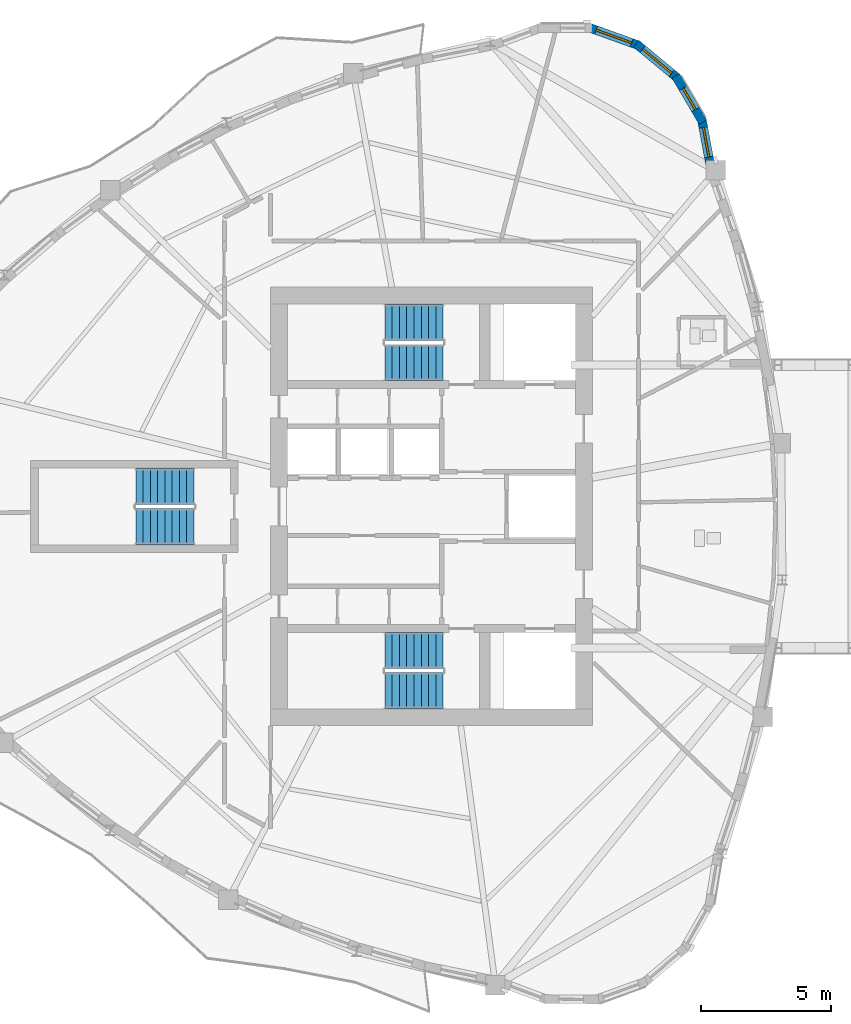
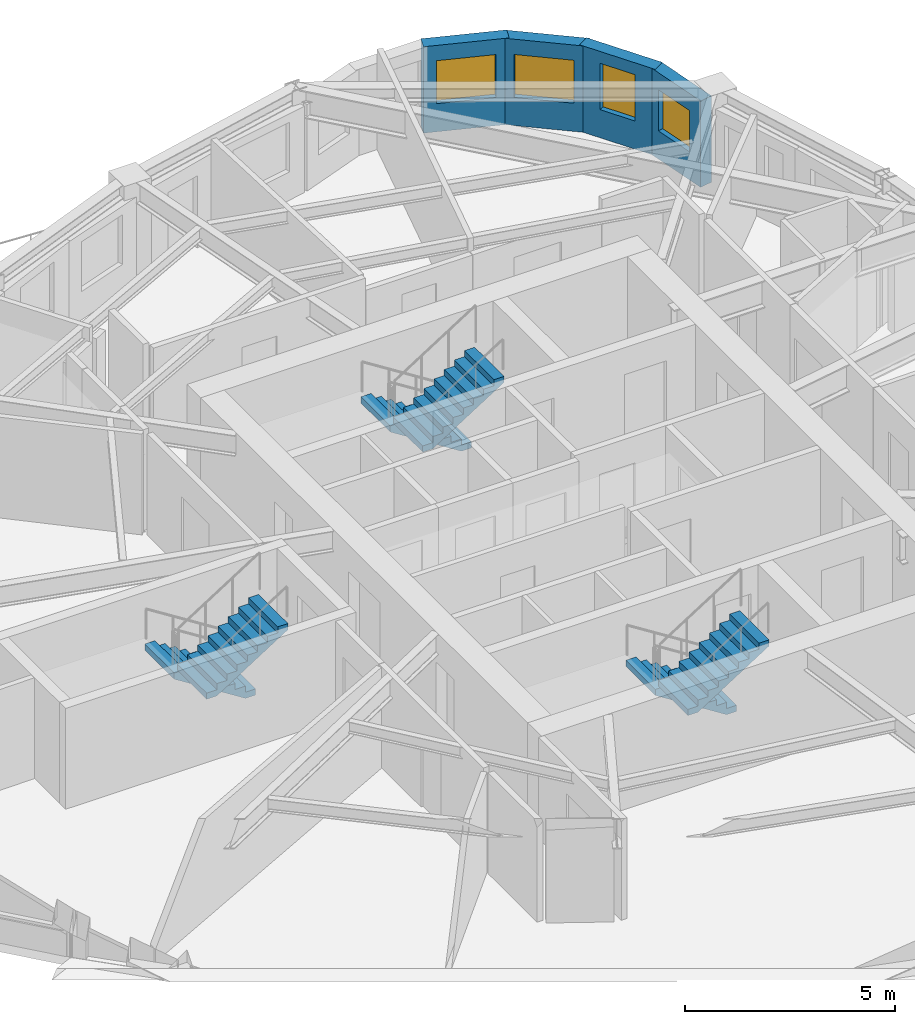
# One storey, part 9 of 13: 6 stair flights, 4 walls, 4 windows, 4 openings, 3 elements without a shape of their own.
"""IFC4 building model written with IfcOpenShell, lengths in metres."""

from ifc_helpers import new_model, si_unit, direction, frame, frame_2d, origin, place, context, subcontext, project, spatial, polyline, rectangle, outline, extrude, source, transform, mapped, material, layer, layer_set, type_object, element, fill, aggregate, save


model = new_model("IFC4")

# Units and contexts
model_context = context("Model", 3, precision=1e-05, world=origin(), true_north=direction((0.0, 1.0)))
body_context = subcontext(model_context, "Body", "Model", "MODEL_VIEW")
ifc_project = project(units=[si_unit("LENGTHUNIT", "METRE"), si_unit("AREAUNIT", "SQUARE_METRE"), si_unit("VOLUMEUNIT", "CUBIC_METRE"), si_unit("PLANEANGLEUNIT", "RADIAN"), si_unit("MASSUNIT", "GRAM", prefix="KILO")], contexts=[model_context])

# Site, building, storey
site_placement = place(None, origin())
site = spatial("IfcSite", under=ifc_project, at=site_placement, CompositionType="ELEMENT")
building_placement = place(site_placement, origin())
building = spatial("IfcBuilding", under=site, at=building_placement, Name="Qafzar Sky-Pleat Residences", CompositionType="ELEMENT")
storey_placement = place(building_placement, frame((0.0, 0.0, 155.39990234375)))
storey = spatial("IfcBuildingStorey", under=building, at=storey_placement, Name="L46", CompositionType="ELEMENT", Elevation=155.39990234375)

# Wall, opening, window
ifc_material_1 = material(Name="Precast concrete C40/50 with honed Riyadh limestone", Category="concrete")
ifc_layer = layer(ifc_material_1, 0.340087890625)
ifc_layer_set = layer_set([ifc_layer], Name="Precast concrete C40/50 with honed Riyadh limestone")
wall_type = type_object("IfcWallType", Name="WALL-EXT-340", PredefinedType="SOLIDWALL", material=ifc_layer_set)
wall_1_placement = place(storey_placement, frame((41.115478515625, 39.076171875, 0.0), z_axis=(0.0, 0.0, 1.0), x_axis=(-0.182320770307, 0.983239104549, 0.0)))
wall_1 = element("IfcWall", 1, at=wall_1_placement, inside=storey, type_object=wall_type, Name="L46 Limestone Facade Wall 33", PredefinedType="SOLIDWALL", context=body_context, shape_type="SweptSolid", body=[
    extrude(rectangle(XDim=1.88818359375, YDim=0.340087890625, at=frame_2d((0.944091796875, 0.0))), origin(), (0.0, 0.0, 1.0), 2.51513671875),
])
opening_1_placement = place(wall_1_placement, frame((0.404052734375, 0.0, 0.820068359375)))
opening_1 = element("IfcOpeningElement", 2, at=opening_1_placement, cuts=wall_1, Name="Opening WN-16", PredefinedType="OPENING", context=body_context, shape_type="SweptSolid", body=[
    extrude(rectangle(XDim=1.14990234375, YDim=1.199951171875, at=frame_2d((0.574951171875, 0.60009765625))), frame((0.0, 0.18017578125, 0.0), z_axis=(0.0, -1.0, 0.0), x_axis=(1.0, 0.0, 0.0)), (0.0, 0.0, 1.0), 0.360107421875),
])
ifc_material_2 = material(Name="Solar-control low-E glass in bronze aluminium frame", Category="glass")
window_type_1 = type_object("IfcWindowType", Name="WIN-16", PartitioningType="SINGLE_PANEL", PredefinedType="WINDOW", material=ifc_material_2)
shared_shape_1 = source(origin(), body_context, "Body", "SweptSolid", [
    extrude(rectangle(XDim=1.14990234375, YDim=1.199951171875, at=frame_2d((0.574951171875, 0.60009765625))), frame((0.0, 0.030029296875, 0.0), z_axis=(0.0, -1.0, 0.0), x_axis=(1.0, 0.0, 0.0)), (0.0, 0.0, 1.0), 0.06005859375),
])
window_1_placement = place(opening_1_placement, origin())
window_1 = element("IfcWindow", 3, at=window_1_placement, inside=storey, type_object=window_type_1, Name="L46 Punched Facade Window 33", OverallHeight=1.199951171875, OverallWidth=1.14990234375, PartitioningType="SINGLE_PANEL", PredefinedType="WINDOW", context=body_context, shape_type="MappedRepresentation", body=[
    mapped(shared_shape_1, transform((0.0, 0.0, 0.0), x_axis=(1.0, 0.0, 0.0), y_axis=(0.0, 1.0, 0.0), z_axis=(0.0, 0.0, 1.0), scale=1.0)),
])
fill(opening_1, window_1)

wall_2_placement = place(storey_placement, frame((40.818115234375, 40.8076171875, 0.0), z_axis=(0.0, 0.0, 1.0), x_axis=(-0.506312473438, 0.86235009088, 0.0)))
wall_2 = element("IfcWall", 4, at=wall_2_placement, inside=storey, type_object=wall_type, Name="L46 Limestone Facade Wall 34", PredefinedType="SOLIDWALL", context=body_context, shape_type="SweptSolid", body=[
    extrude(rectangle(XDim=2.0810546875, YDim=0.340087890625, at=frame_2d((1.04052734375, 0.0))), origin(), (0.0, 0.0, 1.0), 2.51513671875),
])
opening_2_placement = place(wall_2_placement, frame((0.565673828125, 0.0, 0.820068359375)))
opening_2 = element("IfcOpeningElement", 5, at=opening_2_placement, cuts=wall_2, Name="Opening WN-12", PredefinedType="OPENING", context=body_context, shape_type="SweptSolid", body=[
    extrude(rectangle(XDim=0.949951171875, YDim=1.35009765625, at=frame_2d((0.47509765625, 0.675048828125))), frame((0.0, 0.18017578125, 0.0), z_axis=(0.0, -1.0, 0.0), x_axis=(1.0, 0.0, 0.0)), (0.0, 0.0, 1.0), 0.360107421875),
])
window_type_2 = type_object("IfcWindowType", Name="WIN-12", PartitioningType="SINGLE_PANEL", PredefinedType="WINDOW", material=ifc_material_2)
shared_shape_2 = source(origin(), body_context, "Body", "SweptSolid", [
    extrude(rectangle(XDim=0.949951171875, YDim=1.35009765625, at=frame_2d((0.47509765625, 0.675048828125))), frame((0.0, 0.030029296875, 0.0), z_axis=(0.0, -1.0, 0.0), x_axis=(1.0, 0.0, 0.0)), (0.0, 0.0, 1.0), 0.06005859375),
])
window_2_placement = place(opening_2_placement, origin())
window_2 = element("IfcWindow", 6, at=window_2_placement, inside=storey, type_object=window_type_2, Name="L46 Punched Facade Window 34", OverallHeight=1.35009765625, OverallWidth=0.949951171875, PartitioningType="SINGLE_PANEL", PredefinedType="WINDOW", context=body_context, shape_type="MappedRepresentation", body=[
    mapped(shared_shape_2, transform((0.0, 0.0, 0.0), x_axis=(1.0, 0.0, 0.0), y_axis=(0.0, 1.0, 0.0), z_axis=(0.0, 0.0, 1.0), scale=1.0)),
])
fill(opening_2, window_2)

wall_3_placement = place(storey_placement, frame((39.850830078125, 42.50048828125, 0.0), z_axis=(0.0, 0.0, 1.0), x_axis=(-0.769642650648, 0.638474894028, 0.0)))
wall_3 = element("IfcWall", 7, at=wall_3_placement, inside=storey, type_object=wall_type, Name="L46 Limestone Facade Wall 35", PredefinedType="SOLIDWALL", context=body_context, shape_type="SweptSolid", body=[
    extrude(rectangle(XDim=2.080810546875, YDim=0.340087890625, at=frame_2d((1.04052734375, 0.0))), origin(), (0.0, 0.0, 1.0), 2.51513671875),
])
opening_3_placement = place(wall_3_placement, frame((0.3154296875, 0.0, 0.820068359375)))
opening_3 = element("IfcOpeningElement", 8, at=opening_3_placement, cuts=wall_3, Name="Opening WN-15", PredefinedType="OPENING", context=body_context, shape_type="SweptSolid", body=[
    extrude(rectangle(XDim=1.449951171875, YDim=1.25, at=frame_2d((0.72509765625, 0.625))), frame((0.0, 0.18017578125, 0.0), z_axis=(0.0, -1.0, 0.0), x_axis=(1.0, 0.0, 0.0)), (0.0, 0.0, 1.0), 0.360107421875),
])
window_type_3 = type_object("IfcWindowType", Name="WIN-15", PartitioningType="SINGLE_PANEL", PredefinedType="WINDOW", material=ifc_material_2)
shared_shape_3 = source(origin(), body_context, "Body", "SweptSolid", [
    extrude(rectangle(XDim=1.449951171875, YDim=1.25, at=frame_2d((0.72509765625, 0.625))), frame((0.0, 0.030029296875, 0.0), z_axis=(0.0, -1.0, 0.0), x_axis=(1.0, 0.0, 0.0)), (0.0, 0.0, 1.0), 0.06005859375),
])
window_3_placement = place(opening_3_placement, origin())
window_3 = element("IfcWindow", 9, at=window_3_placement, inside=storey, type_object=window_type_3, Name="L46 Punched Facade Window 35", OverallHeight=1.25, OverallWidth=1.449951171875, PartitioningType="SINGLE_PANEL", PredefinedType="WINDOW", context=body_context, shape_type="MappedRepresentation", body=[
    mapped(shared_shape_3, transform((0.0, 0.0, 0.0), x_axis=(1.0, 0.0, 0.0), y_axis=(0.0, 1.0, 0.0), z_axis=(0.0, 0.0, 1.0), scale=1.0)),
])
fill(opening_3, window_3)

wall_4_placement = place(storey_placement, frame((38.365234375, 43.762939453125, 0.0), z_axis=(0.0, 0.0, 1.0), x_axis=(-0.941071215914, 0.338208466153, 0.0)))
wall_4 = element("IfcWall", 10, at=wall_4_placement, inside=storey, type_object=wall_type, Name="L46 Limestone Facade Wall 36", PredefinedType="SOLIDWALL", context=body_context, shape_type="SweptSolid", body=[
    extrude(rectangle(XDim=2.0810546875, YDim=0.340087890625, at=frame_2d((1.04052734375, 0.0))), origin(), (0.0, 0.0, 1.0), 2.51513671875),
])
opening_4_placement = place(wall_4_placement, frame((0.315673828125, 0.0, 0.820068359375)))
opening_4 = element("IfcOpeningElement", 11, at=opening_4_placement, cuts=wall_4, Name="Opening WN-15", PredefinedType="OPENING", context=body_context, shape_type="SweptSolid", body=[
    extrude(rectangle(XDim=1.449951171875, YDim=1.25, at=frame_2d((0.72509765625, 0.625))), frame((0.0, 0.18017578125, 0.0), z_axis=(0.0, -1.0, 0.0), x_axis=(1.0, 0.0, 0.0)), (0.0, 0.0, 1.0), 0.360107421875),
])
window_4_placement = place(opening_4_placement, origin())
window_4 = element("IfcWindow", 12, at=window_4_placement, inside=storey, type_object=window_type_3, Name="L46 Punched Facade Window 36", OverallHeight=1.25, OverallWidth=1.449951171875, PartitioningType="SINGLE_PANEL", PredefinedType="WINDOW", context=body_context, shape_type="MappedRepresentation", body=[
    mapped(shared_shape_3, transform((0.0, 0.0, 0.0), x_axis=(1.0, 0.0, 0.0), y_axis=(0.0, 1.0, 0.0), z_axis=(0.0, 0.0, 1.0), scale=1.0)),
])
fill(opening_4, window_4)

# Stair, stair flights
ifc_material_3 = material(Name="Concrete C40/50", Category="concrete")
stair_type = type_object("IfcStairType", Name="STAIR-H320", PredefinedType="HALF_TURN_STAIR", material=ifc_material_3)
stair_1_placement = place(storey_placement, origin())
stair_1 = element("IfcStair", 13, at=stair_1_placement, inside=storey, type_object=stair_type, Name="L46 Protected Exit Stair ST1", PredefinedType="HALF_TURN_STAIR")
stair_flight_type = type_object("IfcStairFlightType", Name="FLIGHT-H320", PredefinedType="STRAIGHT", material=ifc_material_3)
shared_shape_4 = source(origin(), body_context, "Body", "SweptSolid", [
    extrude(outline(polyline([(0.0, 0.0), (0.0, 0.177734375), (0.280029296875, 0.177734375), (0.280029296875, 0.35546875), (0.56005859375, 0.35546875), (0.56005859375, 0.533447265625), (0.840087890625, 0.533447265625), (0.840087890625, 0.711181640625), (1.1201171875, 0.711181640625), (1.1201171875, 0.888916015625), (1.39990234375, 0.888916015625), (1.39990234375, 1.066650390625), (1.679931640625, 1.066650390625), (1.679931640625, 1.244384765625), (1.9599609375, 1.244384765625), (1.9599609375, 1.422119140625), (2.239990234375, 1.422119140625), (2.239990234375, 1.60009765625), (2.239990234375, 1.24462890625), (0.27978515625, 0.0), (0.0, 0.0)])), frame((0.0, 0.699951171875, 0.0), z_axis=(0.0, -1.0, 0.0), x_axis=(1.0, 0.0, 0.0)), (0.0, 0.0, 1.0), 1.39990234375),
])
stair_flight_1_placement = place(storey_placement, frame((30.800048828125, 20.449951171875, 0.0), z_axis=(0.0, 0.0, 1.0), x_axis=(-1.0, 0.0, 0.0)))
stair_flight_1 = element("IfcStairFlight", 14, at=stair_flight_1_placement, type_object=stair_flight_type, Name="ST1 flight 1", NumberOfRisers=9, NumberOfTreads=8, PredefinedType="STRAIGHT", RiserHeight=0.177777778, TreadLength=0.28, context=body_context, shape_type="MappedRepresentation", body=[
    mapped(shared_shape_4, transform((0.0, 0.0, 0.0), x_axis=(1.0, 0.0, 0.0), y_axis=(0.0, 1.0, 0.0), z_axis=(0.0, 0.0, 1.0), scale=1.0)),
])
stair_flight_2_placement = place(storey_placement, frame((28.56005859375, 18.89990234375, 1.60009765625), z_axis=(0.0, 0.0, 1.0), x_axis=(1.0, 0.0, 0.0)))
stair_flight_2 = element("IfcStairFlight", 15, at=stair_flight_2_placement, type_object=stair_flight_type, Name="ST1 flight 2", NumberOfRisers=9, NumberOfTreads=8, PredefinedType="STRAIGHT", RiserHeight=0.177777778, TreadLength=0.28, context=body_context, shape_type="MappedRepresentation", body=[
    mapped(shared_shape_4, transform((0.0, 0.0, 0.0), x_axis=(1.0, 0.0, 0.0), y_axis=(0.0, 1.0, 0.0), z_axis=(0.0, 0.0, 1.0), scale=1.0)),
])
aggregate(stair_1, [stair_flight_1, stair_flight_2])

stair_2_placement = place(storey_placement, origin())
stair_2 = element("IfcStair", 16, at=stair_2_placement, inside=storey, type_object=stair_type, Name="L46 Protected Exit Stair ST2", PredefinedType="HALF_TURN_STAIR")
stair_flight_3_placement = place(storey_placement, frame((30.800048828125, 33.10009765625, 0.0), z_axis=(0.0, 0.0, 1.0), x_axis=(-1.0, 0.0, 0.0)))
stair_flight_3 = element("IfcStairFlight", 17, at=stair_flight_3_placement, type_object=stair_flight_type, Name="ST2 flight 1", NumberOfRisers=9, NumberOfTreads=8, PredefinedType="STRAIGHT", RiserHeight=0.177777778, TreadLength=0.28, context=body_context, shape_type="MappedRepresentation", body=[
    mapped(shared_shape_4, transform((0.0, 0.0, 0.0), x_axis=(1.0, 0.0, 0.0), y_axis=(0.0, 1.0, 0.0), z_axis=(0.0, 0.0, 1.0), scale=1.0)),
])
stair_flight_4_placement = place(storey_placement, frame((28.56005859375, 31.550048828125, 1.60009765625), z_axis=(0.0, 0.0, 1.0), x_axis=(1.0, 0.0, 0.0)))
stair_flight_4 = element("IfcStairFlight", 18, at=stair_flight_4_placement, type_object=stair_flight_type, Name="ST2 flight 2", NumberOfRisers=9, NumberOfTreads=8, PredefinedType="STRAIGHT", RiserHeight=0.177777778, TreadLength=0.28, context=body_context, shape_type="MappedRepresentation", body=[
    mapped(shared_shape_4, transform((0.0, 0.0, 0.0), x_axis=(1.0, 0.0, 0.0), y_axis=(0.0, 1.0, 0.0), z_axis=(0.0, 0.0, 1.0), scale=1.0)),
])
aggregate(stair_2, [stair_flight_3, stair_flight_4])

stair_3_placement = place(storey_placement, origin())
stair_3 = element("IfcStair", 19, at=stair_3_placement, inside=storey, type_object=stair_type, Name="L46 Protected Exit Stair ST3", PredefinedType="HALF_TURN_STAIR")
stair_flight_5_placement = place(storey_placement, frame((21.199951171875, 26.77490234375, 0.0), z_axis=(0.0, 0.0, 1.0), x_axis=(-1.0, 0.0, 0.0)))
stair_flight_5 = element("IfcStairFlight", 20, at=stair_flight_5_placement, type_object=stair_flight_type, Name="ST3 flight 1", NumberOfRisers=9, NumberOfTreads=8, PredefinedType="STRAIGHT", RiserHeight=0.177777778, TreadLength=0.28, context=body_context, shape_type="MappedRepresentation", body=[
    mapped(shared_shape_4, transform((0.0, 0.0, 0.0), x_axis=(1.0, 0.0, 0.0), y_axis=(0.0, 1.0, 0.0), z_axis=(0.0, 0.0, 1.0), scale=1.0)),
])
stair_flight_6_placement = place(storey_placement, frame((18.9599609375, 25.22509765625, 1.60009765625), z_axis=(0.0, 0.0, 1.0), x_axis=(1.0, 0.0, 0.0)))
stair_flight_6 = element("IfcStairFlight", 21, at=stair_flight_6_placement, type_object=stair_flight_type, Name="ST3 flight 2", NumberOfRisers=9, NumberOfTreads=8, PredefinedType="STRAIGHT", RiserHeight=0.177777778, TreadLength=0.28, context=body_context, shape_type="MappedRepresentation", body=[
    mapped(shared_shape_4, transform((0.0, 0.0, 0.0), x_axis=(1.0, 0.0, 0.0), y_axis=(0.0, 1.0, 0.0), z_axis=(0.0, 0.0, 1.0), scale=1.0)),
])
aggregate(stair_3, [stair_flight_5, stair_flight_6])

save(model, "model.ifc")
